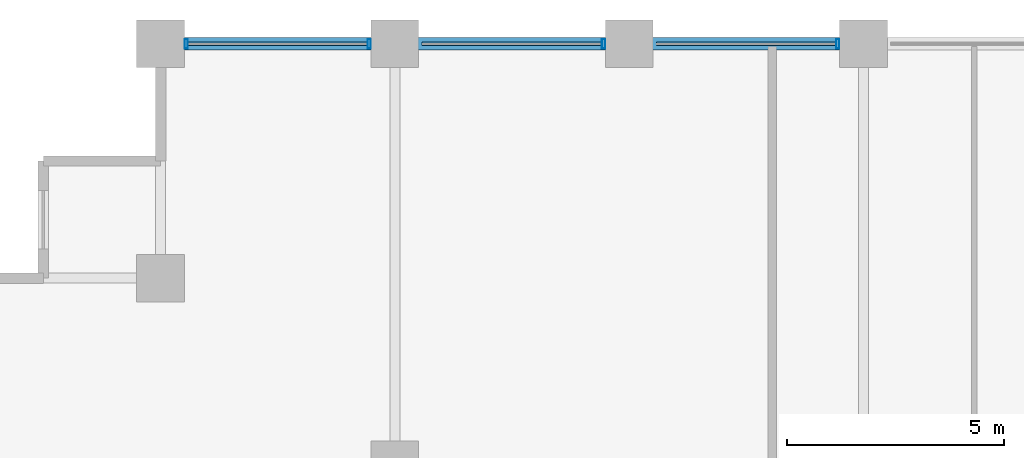
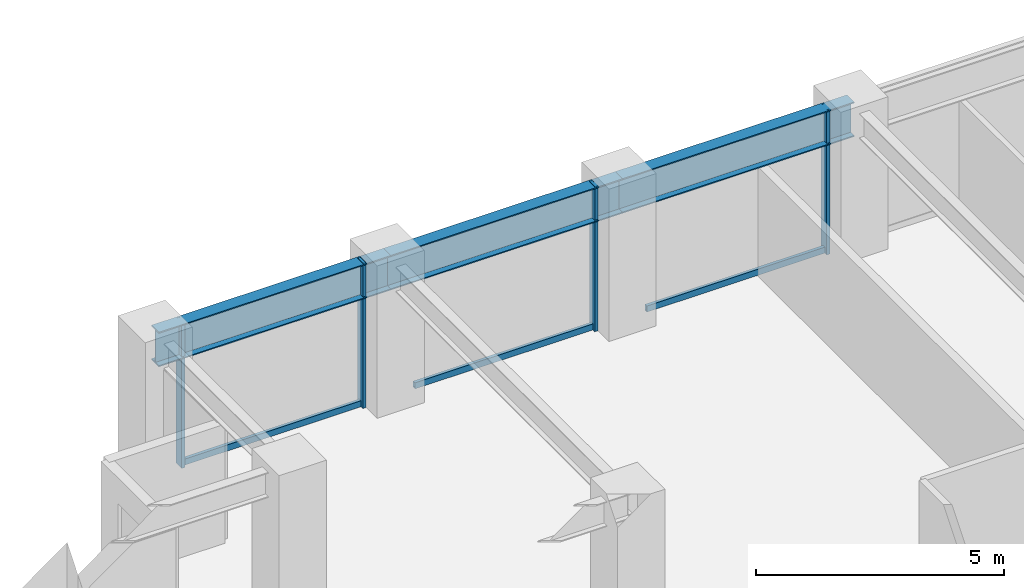
# One storey, part 13 of 25: 7 members, 3 beams, 1 element without a shape of its own.
"""IFC4 building model written with IfcOpenShell, lengths in metres."""

from ifc_helpers import new_model, si_unit, direction, frame, origin, origin_2d, place, context, subcontext, project, spatial, hollow_rectangle, i_section, extrude, material, layer, layer_set, material_profile, profile_set, type_object, element, aggregate, save


model = new_model("IFC4")

# Units and contexts
model_context = context("Model", 3, precision=1e-05, world=origin(), true_north=direction((0.0, 1.0)))
body_context = subcontext(model_context, "Body", "Model", "MODEL_VIEW")
ifc_project = project(units=[si_unit("LENGTHUNIT", "METRE"), si_unit("AREAUNIT", "SQUARE_METRE"), si_unit("VOLUMEUNIT", "CUBIC_METRE"), si_unit("PLANEANGLEUNIT", "RADIAN"), si_unit("MASSUNIT", "GRAM", prefix="KILO")], contexts=[model_context])

# Site, building, storey
site_placement = place(None, origin())
site = spatial("IfcSite", under=ifc_project, at=site_placement, CompositionType="ELEMENT")
building_placement = place(site_placement, origin())
building = spatial("IfcBuilding", under=site, at=building_placement, Name="Surkhivell Harbour Commons", CompositionType="ELEMENT")
storey_placement = place(building_placement, frame((0.0, 0.0, 98.25)))
storey = spatial("IfcBuildingStorey", under=building, at=storey_placement, Name="L25", CompositionType="ELEMENT", Elevation=98.25)

# Beams
ifc_material_1 = material(Name="Steel S460", Category="steel")
ifc_material_profile_1 = material_profile(ifc_material_1, i_section(OverallWidth=0.2939453125, OverallDepth=0.85107421875, WebThickness=0.01611328125, FlangeThickness=0.02685546875, at=origin_2d()), Name="UB838x292x226")
ifc_profile_set_1 = profile_set([ifc_material_profile_1], Name="Steel S460")
beam_type = type_object("IfcBeamType", Name="BM-SPN-838", PredefinedType="SPANDREL", material=ifc_profile_set_1)
beam_1_placement = place(storey_placement, frame((-27.0, 25.89990234375, 3.14453125), z_axis=(1.0, 0.0, 0.0), x_axis=(0.0, 1.0, 0.0)))
element("IfcBeam", 1, at=beam_1_placement, inside=storey, type_object=beam_type, Name="L25 Tube Spandrel (-27.0,25.9)", PredefinedType="SPANDREL", context=body_context, shape_type="SweptSolid", body=[
    extrude(i_section(OverallWidth=0.2939453125, OverallDepth=0.85107421875, WebThickness=0.01611328125, FlangeThickness=0.02685546875, at=origin_2d()), origin(), (0.0, 0.0, 1.0), 5.39990234375),
])
beam_2_placement = place(storey_placement, frame((-21.60009765625, 25.89990234375, 3.14453125), z_axis=(1.0, 0.0, 0.0), x_axis=(0.0, 1.0, 0.0)))
element("IfcBeam", 2, at=beam_2_placement, inside=storey, type_object=beam_type, Name="L25 Tube Spandrel (-21.6,25.9)", PredefinedType="SPANDREL", context=body_context, shape_type="SweptSolid", body=[
    extrude(i_section(OverallWidth=0.2939453125, OverallDepth=0.85107421875, WebThickness=0.01611328125, FlangeThickness=0.02685546875, at=origin_2d()), origin(), (0.0, 0.0, 1.0), 5.400146484375),
])
beam_3_placement = place(storey_placement, frame((-16.199951171875, 25.89990234375, 3.14453125), z_axis=(1.0, 0.0, 0.0), x_axis=(0.0, 1.0, 0.0)))
element("IfcBeam", 3, at=beam_3_placement, inside=storey, type_object=beam_type, Name="L25 Tube Spandrel (-16.2,25.9)", PredefinedType="SPANDREL", context=body_context, shape_type="SweptSolid", body=[
    extrude(i_section(OverallWidth=0.2939453125, OverallDepth=0.85107421875, WebThickness=0.01611328125, FlangeThickness=0.02685546875, at=origin_2d()), origin(), (0.0, 0.0, 1.0), 5.39990234375),
])

# Curtain wall, members
ifc_material_2 = material(Name="Anodised pale-metal aluminium and insulated glazing", Category="aluminium")
ifc_layer = layer(ifc_material_2, 0.205078125)
ifc_layer_set = layer_set([ifc_layer], Name="Anodised pale-metal aluminium and insulated glazing")
curtain_wall_type = type_object("IfcCurtainWallType", Name="CW-SYS-Z2", PredefinedType="NOTDEFINED", material=ifc_layer_set)
curtain_wall_placement = place(storey_placement, origin())
curtain_wall = element("IfcCurtainWall", 4, at=curtain_wall_placement, inside=storey, type_object=curtain_wall_type, Name="L25 Curtain Wall CW-L25-E07S2", PredefinedType="NOTDEFINED")
ifc_material_3 = material(Name="Anodised pale-metal aluminium alloy 6063-T6", Category="aluminium")
ifc_material_profile_2 = material_profile(ifc_material_3, hollow_rectangle(XDim=0.074951171875, YDim=0.219970703125, WallThickness=0.00390625, at=origin_2d()), Name="ALU-MULL-75x220")
ifc_profile_set_2 = profile_set([ifc_material_profile_2], Name="Anodised pale-metal aluminium alloy 6063-T6")
member_type_1 = type_object("IfcMemberType", Name="CWM-220", PredefinedType="MULLION", material=ifc_profile_set_2)
member_1_placement = place(storey_placement, frame((-11.389404296875, 25.89990234375, 0.0), z_axis=(0.0, 0.0, 1.0), x_axis=(-1.0, 0.0, 0.0)))
member_1 = element("IfcMember", 5, at=member_1_placement, type_object=member_type_1, Name="CW-Z2 mullion 2", PredefinedType="MULLION", context=body_context, shape_type="SweptSolid", body=[
    extrude(hollow_rectangle(XDim=0.074951171875, YDim=0.219970703125, WallThickness=0.00390625, at=origin_2d()), origin(), (0.0, 0.0, 1.0), 3.570068359375),
])
member_2_placement = place(storey_placement, frame((-16.78955078125, 25.89990234375, 0.0), z_axis=(0.0, 0.0, 1.0), x_axis=(-1.0, 0.0, 0.0)))
member_2 = element("IfcMember", 6, at=member_2_placement, type_object=member_type_1, Name="CW-Z2 mullion 3", PredefinedType="MULLION", context=body_context, shape_type="SweptSolid", body=[
    extrude(hollow_rectangle(XDim=0.074951171875, YDim=0.219970703125, WallThickness=0.00390625, at=origin_2d()), origin(), (0.0, 0.0, 1.0), 3.570068359375),
])
member_3_placement = place(storey_placement, frame((-22.189453125, 25.89990234375, 0.0), z_axis=(0.0, 0.0, 1.0), x_axis=(-1.0, 0.0, 0.0)))
member_3 = element("IfcMember", 7, at=member_3_placement, type_object=member_type_1, Name="CW-Z2 mullion 4", PredefinedType="MULLION", context=body_context, shape_type="SweptSolid", body=[
    extrude(hollow_rectangle(XDim=0.074951171875, YDim=0.219970703125, WallThickness=0.00390625, at=origin_2d()), origin(), (0.0, 0.0, 1.0), 3.570068359375),
])
member_4_placement = place(storey_placement, frame((-26.410400390625, 25.89990234375, 0.0), z_axis=(0.0, 0.0, 1.0), x_axis=(-1.0, 0.0, 0.0)))
member_4 = element("IfcMember", 8, at=member_4_placement, type_object=member_type_1, Name="CW-Z2 mullion 5", PredefinedType="MULLION", context=body_context, shape_type="SweptSolid", body=[
    extrude(hollow_rectangle(XDim=0.074951171875, YDim=0.219970703125, WallThickness=0.00390625, at=origin_2d()), origin(), (0.0, 0.0, 1.0), 3.570068359375),
])
ifc_material_profile_3 = material_profile(ifc_material_3, hollow_rectangle(XDim=0.074951171875, YDim=0.14990234375, WallThickness=0.00341796875, at=origin_2d()), Name="ALU-TRAN-75x150")
ifc_profile_set_3 = profile_set([ifc_material_profile_3], Name="Anodised pale-metal aluminium alloy 6063-T6")
member_type_2 = type_object("IfcMemberType", Name="CWT-150", PredefinedType="USERDEFINED", material=ifc_profile_set_3)
member_5_placement = place(storey_placement, frame((-11.427001953125, 25.89990234375, 0.074951171875), z_axis=(-1.0, 0.0, 0.0), x_axis=(0.0, -1.0, 0.0)))
member_5 = element("IfcMember", 9, at=member_5_placement, type_object=member_type_2, Name="CW-Z2 transom 2.1", ObjectType="TRANSOM", PredefinedType="USERDEFINED", context=body_context, shape_type="SweptSolid", body=[
    extrude(hollow_rectangle(XDim=0.074951171875, YDim=0.14990234375, WallThickness=0.00341796875, at=origin_2d()), origin(), (0.0, 0.0, 1.0), 4.14599609375),
])
member_6_placement = place(storey_placement, frame((-16.826904296875, 25.89990234375, 0.074951171875), z_axis=(-1.0, 0.0, 0.0), x_axis=(0.0, -1.0, 0.0)))
member_6 = element("IfcMember", 10, at=member_6_placement, type_object=member_type_2, Name="CW-Z2 transom 3.1", ObjectType="TRANSOM", PredefinedType="USERDEFINED", context=body_context, shape_type="SweptSolid", body=[
    extrude(hollow_rectangle(XDim=0.074951171875, YDim=0.14990234375, WallThickness=0.00341796875, at=origin_2d()), origin(), (0.0, 0.0, 1.0), 4.14599609375),
])
member_7_placement = place(storey_placement, frame((-22.22705078125, 25.89990234375, 0.074951171875), z_axis=(-1.0, 0.0, 0.0), x_axis=(0.0, -1.0, 0.0)))
member_7 = element("IfcMember", 11, at=member_7_placement, type_object=member_type_2, Name="CW-Z2 transom 4.1", ObjectType="TRANSOM", PredefinedType="USERDEFINED", context=body_context, shape_type="SweptSolid", body=[
    extrude(hollow_rectangle(XDim=0.074951171875, YDim=0.14990234375, WallThickness=0.00341796875, at=origin_2d()), origin(), (0.0, 0.0, 1.0), 4.14599609375),
])
aggregate(curtain_wall, [member_1, member_5, member_2, member_6, member_3, member_4, member_7])

save(model, "model.ifc")
